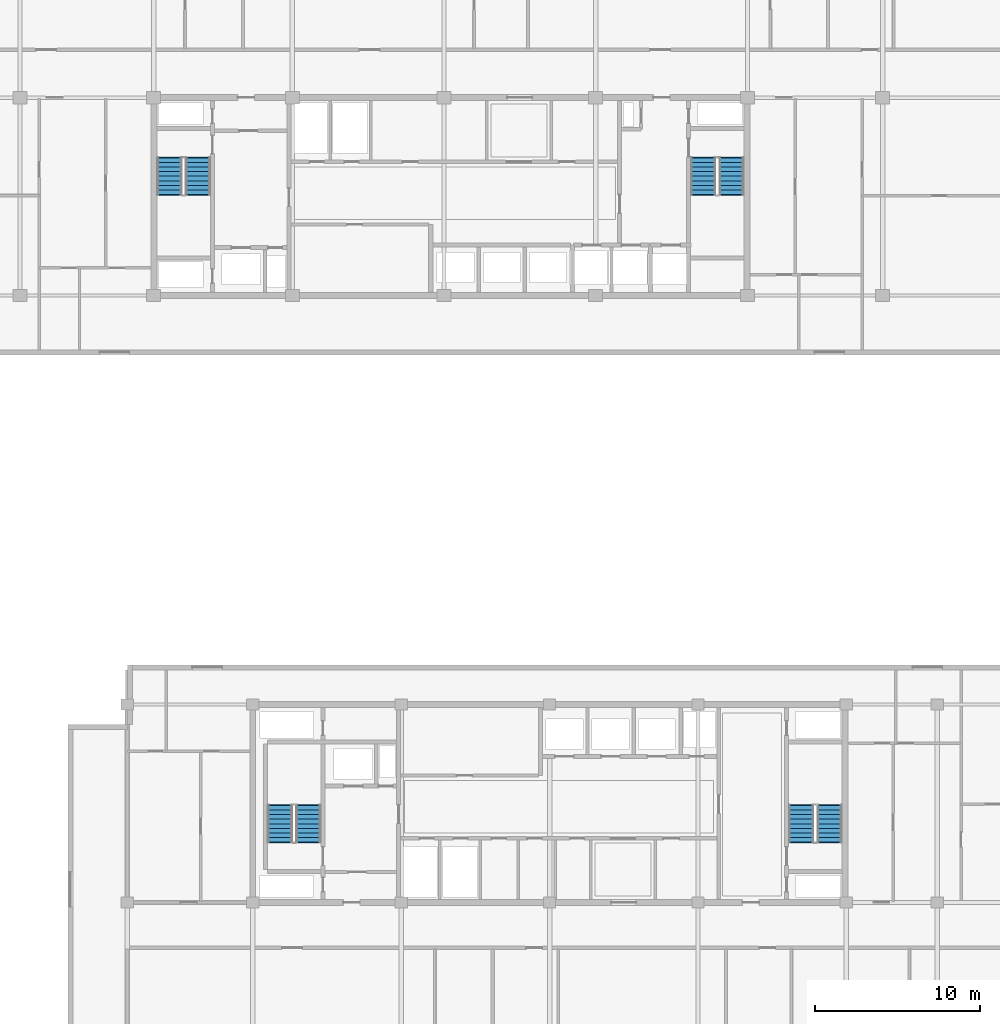
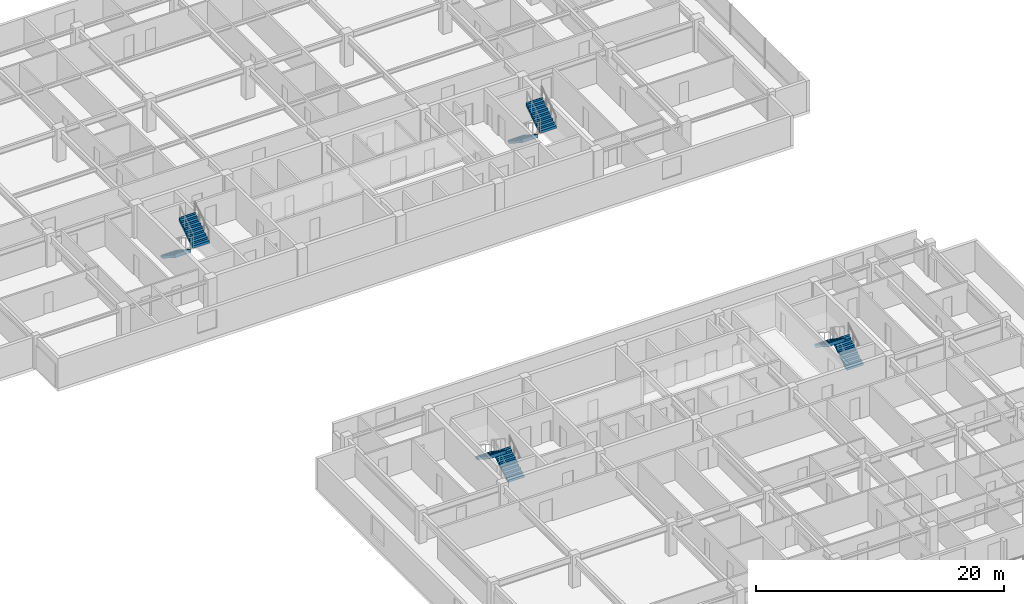
# One storey, part 27 of 32: 8 stair flights, 4 elements without a shape of their own.
"""IFC4 building model written with IfcOpenShell, lengths in metres."""

from ifc_helpers import new_model, si_unit, direction, frame, origin, place, context, subcontext, project, spatial, polyline, outline, extrude, material, type_object, element, aggregate, save


model = new_model("IFC4")

# Units and contexts
model_context = context("Model", 3, precision=1e-05, world=origin(), true_north=direction((0.0, 1.0)))
body_context = subcontext(model_context, "Body", "Model", "MODEL_VIEW")
ifc_project = project(units=[si_unit("LENGTHUNIT", "METRE"), si_unit("AREAUNIT", "SQUARE_METRE"), si_unit("VOLUMEUNIT", "CUBIC_METRE"), si_unit("PLANEANGLEUNIT", "RADIAN"), si_unit("MASSUNIT", "GRAM", prefix="KILO")], contexts=[model_context])

# Site, building, storey
site_placement = place(None, origin())
site = spatial("IfcSite", under=ifc_project, at=site_placement, CompositionType="ELEMENT")
building_placement = place(site_placement, origin())
building = spatial("IfcBuilding", under=site, at=building_placement, Name="Korimba Cascade Residences", CompositionType="ELEMENT")
storey_placement = place(building_placement, frame((0.0, 0.0, 178.35009765625)))
storey = spatial("IfcBuildingStorey", under=building, at=storey_placement, Name="L51", CompositionType="ELEMENT", Elevation=178.35009765625)

# Stair, stair flights
ifc_material = material(Name="Concrete C50/60", Category="concrete")
stair_type_1 = type_object("IfcStairType", Name="STR-W1-18R-1806", PredefinedType="HALF_TURN_STAIR", material=ifc_material)
stair_1_placement = place(storey_placement, origin())
stair_1 = element("IfcStair", 1, at=stair_1_placement, inside=storey, type_object=stair_type_1, Name="L51 Tower 1 West Fire Stair ST-W1", PredefinedType="HALF_TURN_STAIR")
stair_flight_type = type_object("IfcStairFlightType", Name="STF-DL-18R-1806-1520", PredefinedType="STRAIGHT", material=ifc_material)
stair_flight_1_placement = place(storey_placement, frame((77.06005859375, 63.550048828125, 0.0), z_axis=(0.0, 0.0, 1.0), x_axis=(0.0, -1.0, 0.0)))
stair_flight_1 = element("IfcStairFlight", 2, at=stair_flight_1_placement, type_object=stair_flight_type, Name="ST-W1 flight 1", NumberOfRisers=9, NumberOfTreads=8, PredefinedType="STRAIGHT", RiserHeight=0.180555556, TreadLength=0.28, context=body_context, shape_type="SweptSolid", body=[
    extrude(outline(polyline([(-0.0380859375, 0.0), (0.0, 0.1806640625), (0.280029296875, 0.1806640625), (0.280029296875, 0.361083984375), (0.56005859375, 0.361083984375), (0.56005859375, 0.541748046875), (0.840087890625, 0.541748046875), (0.840087890625, 0.72216796875), (1.1201171875, 0.72216796875), (1.1201171875, 0.90283203125), (1.39990234375, 0.90283203125), (1.39990234375, 1.083251953125), (1.679931640625, 1.083251953125), (1.679931640625, 1.263916015625), (1.9599609375, 1.263916015625), (1.9599609375, 1.4443359375), (2.239990234375, 1.4443359375), (2.239990234375, 1.625), (2.278076171875, 1.625), (2.278076171875, 1.26611328125), (0.276611328125, 0.0), (0.276611328125, -0.0380859375), (-0.0380859375, -0.0380859375), (-0.0380859375, 0.0)])), frame((0.0, 0.760009765625, 0.0), z_axis=(0.0, -1.0, 0.0), x_axis=(1.0, 0.0, 0.0)), (0.0, 0.0, 1.0), 1.52001953125),
])
stair_flight_2_placement = place(storey_placement, frame((78.780029296875, 61.31005859375, 1.625), z_axis=(0.0, 0.0, 1.0), x_axis=(0.0, 1.0, 0.0)))
stair_flight_2 = element("IfcStairFlight", 3, at=stair_flight_2_placement, type_object=stair_flight_type, Name="ST-W1 flight 2", NumberOfRisers=9, NumberOfTreads=8, PredefinedType="STRAIGHT", RiserHeight=0.180555556, TreadLength=0.28, context=body_context, shape_type="SweptSolid", body=[
    extrude(outline(polyline([(-0.0380859375, 0.0), (0.0, 0.1806640625), (0.280029296875, 0.1806640625), (0.280029296875, 0.361083984375), (0.56005859375, 0.361083984375), (0.56005859375, 0.541748046875), (0.840087890625, 0.541748046875), (0.840087890625, 0.72216796875), (1.1201171875, 0.72216796875), (1.1201171875, 0.90283203125), (1.39990234375, 0.90283203125), (1.39990234375, 1.083251953125), (1.679931640625, 1.083251953125), (1.679931640625, 1.263916015625), (1.9599609375, 1.263916015625), (1.9599609375, 1.4443359375), (2.239990234375, 1.4443359375), (2.239990234375, 1.625), (2.278076171875, 1.625), (2.278076171875, 1.26611328125), (0.276611328125, 0.0), (0.276611328125, -0.0380859375), (-0.0380859375, -0.0380859375), (-0.0380859375, 0.0)])), frame((0.0, 0.760009765625, 0.0), z_axis=(0.0, -1.0, 0.0), x_axis=(1.0, 0.0, 0.0)), (0.0, 0.0, 1.0), 1.52001953125),
])
aggregate(stair_1, [stair_flight_1, stair_flight_2])

stair_type_2 = type_object("IfcStairType", Name="STR-W2-18R-1806", PredefinedType="HALF_TURN_STAIR", material=ifc_material)
stair_2_placement = place(storey_placement, origin())
stair_2 = element("IfcStair", 4, at=stair_2_placement, inside=storey, type_object=stair_type_2, Name="L51 Tower 1 East Fire Stair ST-W2", PredefinedType="HALF_TURN_STAIR")
stair_flight_3_placement = place(storey_placement, frame((109.419921875, 63.550048828125, 0.0), z_axis=(0.0, 0.0, 1.0), x_axis=(0.0, -1.0, 0.0)))
stair_flight_3 = element("IfcStairFlight", 5, at=stair_flight_3_placement, type_object=stair_flight_type, Name="ST-W2 flight 1", NumberOfRisers=9, NumberOfTreads=8, PredefinedType="STRAIGHT", RiserHeight=0.180555556, TreadLength=0.28, context=body_context, shape_type="SweptSolid", body=[
    extrude(outline(polyline([(-0.0380859375, 0.0), (0.0, 0.1806640625), (0.280029296875, 0.1806640625), (0.280029296875, 0.361083984375), (0.56005859375, 0.361083984375), (0.56005859375, 0.541748046875), (0.840087890625, 0.541748046875), (0.840087890625, 0.72216796875), (1.1201171875, 0.72216796875), (1.1201171875, 0.90283203125), (1.39990234375, 0.90283203125), (1.39990234375, 1.083251953125), (1.679931640625, 1.083251953125), (1.679931640625, 1.263916015625), (1.9599609375, 1.263916015625), (1.9599609375, 1.4443359375), (2.239990234375, 1.4443359375), (2.239990234375, 1.625), (2.278076171875, 1.625), (2.278076171875, 1.26611328125), (0.276611328125, 0.0), (0.276611328125, -0.0380859375), (-0.0380859375, -0.0380859375), (-0.0380859375, 0.0)])), frame((0.0, 0.760009765625, 0.0), z_axis=(0.0, -1.0, 0.0), x_axis=(1.0, 0.0, 0.0)), (0.0, 0.0, 1.0), 1.52001953125),
])
stair_flight_4_placement = place(storey_placement, frame((111.139892578125, 61.31005859375, 1.625), z_axis=(0.0, 0.0, 1.0), x_axis=(0.0, 1.0, 0.0)))
stair_flight_4 = element("IfcStairFlight", 6, at=stair_flight_4_placement, type_object=stair_flight_type, Name="ST-W2 flight 2", NumberOfRisers=9, NumberOfTreads=8, PredefinedType="STRAIGHT", RiserHeight=0.180555556, TreadLength=0.28, context=body_context, shape_type="SweptSolid", body=[
    extrude(outline(polyline([(-0.0380859375, 0.0), (0.0, 0.1806640625), (0.280029296875, 0.1806640625), (0.280029296875, 0.361083984375), (0.56005859375, 0.361083984375), (0.56005859375, 0.541748046875), (0.840087890625, 0.541748046875), (0.840087890625, 0.72216796875), (1.1201171875, 0.72216796875), (1.1201171875, 0.90283203125), (1.39990234375, 0.90283203125), (1.39990234375, 1.083251953125), (1.679931640625, 1.083251953125), (1.679931640625, 1.263916015625), (1.9599609375, 1.263916015625), (1.9599609375, 1.4443359375), (2.239990234375, 1.4443359375), (2.239990234375, 1.625), (2.278076171875, 1.625), (2.278076171875, 1.26611328125), (0.276611328125, 0.0), (0.276611328125, -0.0380859375), (-0.0380859375, -0.0380859375), (-0.0380859375, 0.0)])), frame((0.0, 0.760009765625, 0.0), z_axis=(0.0, -1.0, 0.0), x_axis=(1.0, 0.0, 0.0)), (0.0, 0.0, 1.0), 1.52001953125),
])
aggregate(stair_2, [stair_flight_3, stair_flight_4])

stair_type_3 = type_object("IfcStairType", Name="STR-E1-18R-1806", PredefinedType="HALF_TURN_STAIR", material=ifc_material)
stair_3_placement = place(storey_placement, origin())
stair_3 = element("IfcStair", 7, at=stair_3_placement, inside=storey, type_object=stair_type_3, Name="L51 Tower 2 West Fire Stair ST-E1", PredefinedType="HALF_TURN_STAIR")
stair_flight_5_placement = place(storey_placement, frame((85.47998046875, 22.050048828125, 0.0), z_axis=(0.0, 0.0, 1.0), x_axis=(0.0, 1.0, 0.0)))
stair_flight_5 = element("IfcStairFlight", 8, at=stair_flight_5_placement, type_object=stair_flight_type, Name="ST-E1 flight 1", NumberOfRisers=9, NumberOfTreads=8, PredefinedType="STRAIGHT", RiserHeight=0.180555556, TreadLength=0.28, context=body_context, shape_type="SweptSolid", body=[
    extrude(outline(polyline([(-0.0380859375, 0.0), (0.0, 0.1806640625), (0.280029296875, 0.1806640625), (0.280029296875, 0.361083984375), (0.56005859375, 0.361083984375), (0.56005859375, 0.541748046875), (0.840087890625, 0.541748046875), (0.840087890625, 0.72216796875), (1.1201171875, 0.72216796875), (1.1201171875, 0.90283203125), (1.39990234375, 0.90283203125), (1.39990234375, 1.083251953125), (1.679931640625, 1.083251953125), (1.679931640625, 1.263916015625), (1.9599609375, 1.263916015625), (1.9599609375, 1.4443359375), (2.239990234375, 1.4443359375), (2.239990234375, 1.625), (2.278076171875, 1.625), (2.278076171875, 1.26611328125), (0.276611328125, 0.0), (0.276611328125, -0.0380859375), (-0.0380859375, -0.0380859375), (-0.0380859375, 0.0)])), frame((0.0, 0.760009765625, 0.0), z_axis=(0.0, -1.0, 0.0), x_axis=(1.0, 0.0, 0.0)), (0.0, 0.0, 1.0), 1.52001953125),
])
stair_flight_6_placement = place(storey_placement, frame((83.760009765625, 24.2900390625, 1.625), z_axis=(0.0, 0.0, 1.0), x_axis=(0.0, -1.0, 0.0)))
stair_flight_6 = element("IfcStairFlight", 9, at=stair_flight_6_placement, type_object=stair_flight_type, Name="ST-E1 flight 2", NumberOfRisers=9, NumberOfTreads=8, PredefinedType="STRAIGHT", RiserHeight=0.180555556, TreadLength=0.28, context=body_context, shape_type="SweptSolid", body=[
    extrude(outline(polyline([(-0.0380859375, 0.0), (0.0, 0.1806640625), (0.280029296875, 0.1806640625), (0.280029296875, 0.361083984375), (0.56005859375, 0.361083984375), (0.56005859375, 0.541748046875), (0.840087890625, 0.541748046875), (0.840087890625, 0.72216796875), (1.1201171875, 0.72216796875), (1.1201171875, 0.90283203125), (1.39990234375, 0.90283203125), (1.39990234375, 1.083251953125), (1.679931640625, 1.083251953125), (1.679931640625, 1.263916015625), (1.9599609375, 1.263916015625), (1.9599609375, 1.4443359375), (2.239990234375, 1.4443359375), (2.239990234375, 1.625), (2.278076171875, 1.625), (2.278076171875, 1.26611328125), (0.276611328125, 0.0), (0.276611328125, -0.0380859375), (-0.0380859375, -0.0380859375), (-0.0380859375, 0.0)])), frame((0.0, 0.760009765625, 0.0), z_axis=(0.0, -1.0, 0.0), x_axis=(1.0, 0.0, 0.0)), (0.0, 0.0, 1.0), 1.52001953125),
])
aggregate(stair_3, [stair_flight_5, stair_flight_6])

stair_type_4 = type_object("IfcStairType", Name="STR-E2-18R-1806", PredefinedType="HALF_TURN_STAIR", material=ifc_material)
stair_4_placement = place(storey_placement, origin())
stair_4 = element("IfcStair", 10, at=stair_4_placement, inside=storey, type_object=stair_type_4, Name="L51 Tower 2 East Fire Stair ST-E2", PredefinedType="HALF_TURN_STAIR")
stair_flight_7_placement = place(storey_placement, frame((117.080078125, 22.050048828125, 0.0), z_axis=(0.0, 0.0, 1.0), x_axis=(0.0, 1.0, 0.0)))
stair_flight_7 = element("IfcStairFlight", 11, at=stair_flight_7_placement, type_object=stair_flight_type, Name="ST-E2 flight 1", NumberOfRisers=9, NumberOfTreads=8, PredefinedType="STRAIGHT", RiserHeight=0.180555556, TreadLength=0.28, context=body_context, shape_type="SweptSolid", body=[
    extrude(outline(polyline([(-0.0380859375, 0.0), (0.0, 0.1806640625), (0.280029296875, 0.1806640625), (0.280029296875, 0.361083984375), (0.56005859375, 0.361083984375), (0.56005859375, 0.541748046875), (0.840087890625, 0.541748046875), (0.840087890625, 0.72216796875), (1.1201171875, 0.72216796875), (1.1201171875, 0.90283203125), (1.39990234375, 0.90283203125), (1.39990234375, 1.083251953125), (1.679931640625, 1.083251953125), (1.679931640625, 1.263916015625), (1.9599609375, 1.263916015625), (1.9599609375, 1.4443359375), (2.239990234375, 1.4443359375), (2.239990234375, 1.625), (2.278076171875, 1.625), (2.278076171875, 1.26611328125), (0.276611328125, 0.0), (0.276611328125, -0.0380859375), (-0.0380859375, -0.0380859375), (-0.0380859375, 0.0)])), frame((0.0, 0.760009765625, 0.0), z_axis=(0.0, -1.0, 0.0), x_axis=(1.0, 0.0, 0.0)), (0.0, 0.0, 1.0), 1.52001953125),
])
stair_flight_8_placement = place(storey_placement, frame((115.360107421875, 24.2900390625, 1.625), z_axis=(0.0, 0.0, 1.0), x_axis=(0.0, -1.0, 0.0)))
stair_flight_8 = element("IfcStairFlight", 12, at=stair_flight_8_placement, type_object=stair_flight_type, Name="ST-E2 flight 2", NumberOfRisers=9, NumberOfTreads=8, PredefinedType="STRAIGHT", RiserHeight=0.180555556, TreadLength=0.28, context=body_context, shape_type="SweptSolid", body=[
    extrude(outline(polyline([(-0.0380859375, 0.0), (0.0, 0.1806640625), (0.280029296875, 0.1806640625), (0.280029296875, 0.361083984375), (0.56005859375, 0.361083984375), (0.56005859375, 0.541748046875), (0.840087890625, 0.541748046875), (0.840087890625, 0.72216796875), (1.1201171875, 0.72216796875), (1.1201171875, 0.90283203125), (1.39990234375, 0.90283203125), (1.39990234375, 1.083251953125), (1.679931640625, 1.083251953125), (1.679931640625, 1.263916015625), (1.9599609375, 1.263916015625), (1.9599609375, 1.4443359375), (2.239990234375, 1.4443359375), (2.239990234375, 1.625), (2.278076171875, 1.625), (2.278076171875, 1.26611328125), (0.276611328125, 0.0), (0.276611328125, -0.0380859375), (-0.0380859375, -0.0380859375), (-0.0380859375, 0.0)])), frame((0.0, 0.760009765625, 0.0), z_axis=(0.0, -1.0, 0.0), x_axis=(1.0, 0.0, 0.0)), (0.0, 0.0, 1.0), 1.52001953125),
])
aggregate(stair_4, [stair_flight_7, stair_flight_8])

save(model, "model.ifc")
